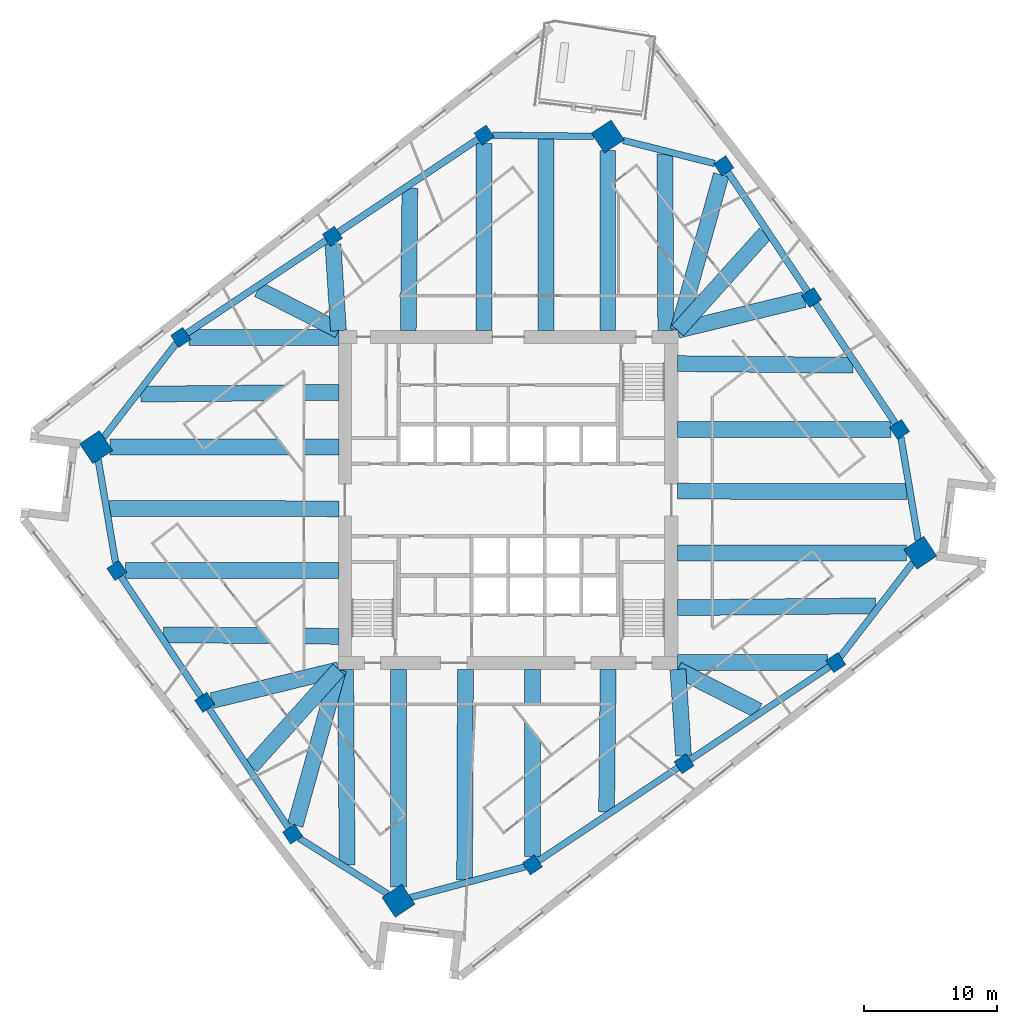
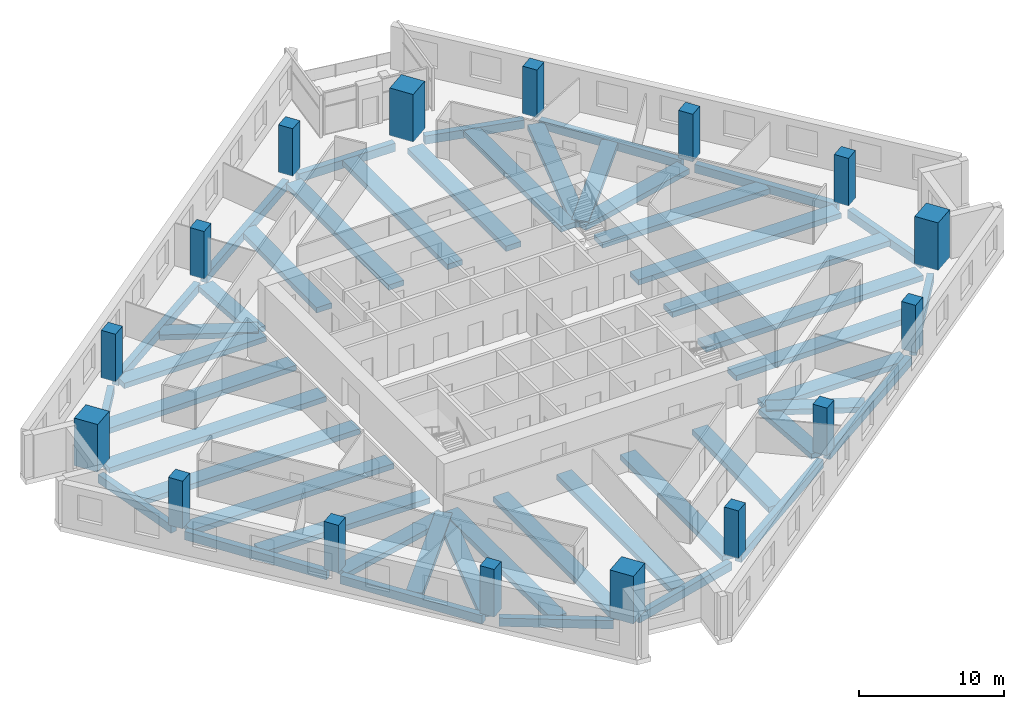
# One storey, part 1 of 11: 48 beams, 16 columns.
"""IFC4 building model written with IfcOpenShell, lengths in metres."""

from ifc_helpers import new_model, si_unit, direction, frame, origin, origin_2d, place, context, subcontext, project, spatial, rectangle, extrude, material, material_profile, profile_set, type_object, element, save


model = new_model("IFC4")

# Units and contexts
model_context = context("Model", 3, precision=1e-05, world=origin(), true_north=direction((0.0, 1.0)))
body_context = subcontext(model_context, "Body", "Model", "MODEL_VIEW")
ifc_project = project(units=[si_unit("LENGTHUNIT", "METRE"), si_unit("AREAUNIT", "SQUARE_METRE"), si_unit("VOLUMEUNIT", "CUBIC_METRE"), si_unit("PLANEANGLEUNIT", "RADIAN"), si_unit("MASSUNIT", "GRAM", prefix="KILO")], contexts=[model_context])

# Site, building, storey
site_placement = place(None, origin())
site = spatial("IfcSite", under=ifc_project, at=site_placement, CompositionType="ELEMENT")
building_placement = place(site_placement, origin())
building = spatial("IfcBuilding", under=site, at=building_placement, Name="Dilmun Exchange Tower", CompositionType="ELEMENT")
storey_placement = place(building_placement, frame((0.0, 0.0, 175.699951171875)))
storey = spatial("IfcBuildingStorey", under=building, at=storey_placement, Name="L41", CompositionType="ELEMENT", Elevation=175.699951171875)

# Columns
ifc_material_1 = material(Name="Concrete C60/75", Category="concrete")
ifc_material_profile_1 = material_profile(ifc_material_1, rectangle(XDim=1.800048828125, YDim=1.800048828125, at=origin_2d()), Name="1800 x 1800")
ifc_profile_set_1 = profile_set([ifc_material_profile_1], Name="Concrete C60/75")
column_type_1 = type_object("IfcColumnType", Name="RC mega column 1800 x 1800 C60/75", PredefinedType="COLUMN", material=ifc_profile_set_1)
for number, where, z_axis, x_axis, name in (
    (1, (7.506103515625, 27.409912109375, 0.0), (0.0, 0.0, 1.0), (0.832028680356, 0.55473261583, 0.0), "Mega column M1"),
    (2, (-31.0791015625, 3.98193359375, 0.0), (0.0, 0.0, 1.0), (0.832028680356, 0.55473261583, 0.0), "Mega column M2"),
    (3, (-8.27587890625, -30.220947265625, 0.0), (0.0, 0.0, 1.0), (0.832028680356, 0.55473261583, 0.0), "Mega column M3"),
    (4, (31.0791015625, -3.98193359375, 0.0), (0.0, 0.0, 1.0), (0.832028680356, 0.55473261583, 0.0), "Mega column M4"),
):
    element("IfcColumn", number, at=place(storey_placement, frame(where, z_axis=z_axis, x_axis=x_axis)), inside=storey, type_object=column_type_1, Name=name, PredefinedType="COLUMN", context=body_context, shape_type="SweptSolid", body=[
        extrude(rectangle(XDim=1.800048828125, YDim=1.800048828125, at=origin_2d()), origin(), (0.0, 0.0, 1.0), 4.0),
    ])
ifc_material_profile_2 = material_profile(ifc_material_1, rectangle(XDim=1.10009765625, YDim=1.10009765625, at=origin_2d()), Name="1100 x 1100")
ifc_profile_set_2 = profile_set([ifc_material_profile_2], Name="Concrete C60/75")
column_type_2 = type_object("IfcColumnType", Name="RC ring column 1100 x 1100 C60/75", PredefinedType="COLUMN", material=ifc_profile_set_2)
for number, where, z_axis, x_axis, name in (
    (5, (-1.818115234375, 27.512939453125, 0.0), (0.0, 0.0, 1.0), (0.832028680356, 0.55473261583, 0.0), "Ring column R01"),
    (6, (-13.258056640625, 19.885009765625, 0.0), (0.0, 0.0, 1.0), (0.832028680356, 0.55473261583, 0.0), "Ring column R02"),
    (7, (-24.698974609375, 12.258056640625, 0.0), (0.0, 0.0, 1.0), (0.832028680356, 0.55473261583, 0.0), "Ring column R03"),
    (8, (-29.510009765625, -5.31201171875, 0.0), (0.0, 0.0, 1.0), (0.832028680356, 0.55473261583, 0.0), "Ring column R04"),
    (9, (-22.881103515625, -15.2548828125, 0.0), (0.0, 0.0, 1.0), (0.832028680356, 0.55473261583, 0.0), "Ring column R05"),
    (10, (-16.251953125, -25.197998046875, 0.0), (0.0, 0.0, 1.0), (0.832028680356, 0.55473261583, 0.0), "Ring column R06"),
    (11, (1.818115234375, -27.512939453125, 0.0), (0.0, 0.0, 1.0), (0.832028680356, 0.55473261583, 0.0), "Ring column R07"),
    (12, (13.258056640625, -19.885009765625, 0.0), (0.0, 0.0, 1.0), (0.832028680356, 0.55473261583, 0.0), "Ring column R08"),
    (13, (24.698974609375, -12.258056640625, 0.0), (0.0, 0.0, 1.0), (0.832028680356, 0.55473261583, 0.0), "Ring column R09"),
    (14, (29.510009765625, 5.31201171875, 0.0), (0.0, 0.0, 1.0), (0.832028680356, 0.55473261583, 0.0), "Ring column R10"),
    (15, (22.881103515625, 15.2548828125, 0.0), (0.0, 0.0, 1.0), (0.832028680356, 0.55473261583, 0.0), "Ring column R11"),
    (16, (16.251953125, 25.197998046875, 0.0), (0.0, 0.0, 1.0), (0.832028680356, 0.55473261583, 0.0), "Ring column R12"),
):
    element("IfcColumn", number, at=place(storey_placement, frame(where, z_axis=z_axis, x_axis=x_axis)), inside=storey, type_object=column_type_2, Name=name, PredefinedType="COLUMN", context=body_context, shape_type="SweptSolid", body=[
        extrude(rectangle(XDim=1.10009765625, YDim=1.10009765625, at=origin_2d()), origin(), (0.0, 0.0, 1.0), 4.0),
    ])

# Beams
ifc_material_2 = material(Name="Concrete C40/50", Category="concrete")
ifc_material_profile_3 = material_profile(ifc_material_2, rectangle(XDim=1.199951171875, YDim=0.449951171875, at=origin_2d()), Name="1200 x 450")
ifc_profile_set_3 = profile_set([ifc_material_profile_3], Name="Concrete C40/50")
beam_type_1 = type_object("IfcBeamType", Name="RC band beam 1200 x 450 C40/50", PredefinedType="BEAM", material=ifc_profile_set_3)
beam_1_placement = place(storey_placement, frame((7.506103515625, 26.355224609375, -0.724853515625), z_axis=(0.0, -1.0, 0.0), x_axis=(1.0, 0.0, 0.0)))
element("IfcBeam", 17, at=beam_1_placement, inside=storey, type_object=beam_type_1, Name="Band beam 1", PredefinedType="BEAM", context=body_context, shape_type="SweptSolid", body=[
    extrude(rectangle(XDim=1.199951171875, YDim=0.449951171875, at=origin_2d()), origin(), (0.0, 0.0, 1.0), 13.582275390625),
])
beam_2_placement = place(storey_placement, frame((-1.818115234375, 26.87890625, -0.724853515625), z_axis=(0.0, -1.0, 0.0), x_axis=(1.0, 0.0, 0.0)))
element("IfcBeam", 18, at=beam_2_placement, inside=storey, type_object=beam_type_1, Name="Band beam 2", PredefinedType="BEAM", context=body_context, shape_type="SweptSolid", body=[
    extrude(rectangle(XDim=1.199951171875, YDim=0.449951171875, at=origin_2d()), origin(), (0.0, 0.0, 1.0), 14.10595703125),
])
beam_3_placement = place(storey_placement, frame((-13.21875, 19.2783203125, -0.724853515625), z_axis=(0.064492965824, -0.997918161654, 0.0), x_axis=(0.997918161654, 0.064492965824, 0.0)))
element("IfcBeam", 19, at=beam_3_placement, inside=storey, type_object=beam_type_1, Name="Band beam 3", PredefinedType="BEAM", context=body_context, shape_type="SweptSolid", body=[
    extrude(rectangle(XDim=1.199951171875, YDim=0.449951171875, at=origin_2d()), origin(), (0.0, 0.0, 1.0), 6.518798828125),
])
beam_4_placement = place(storey_placement, frame((-24.06494140625, 12.258056640625, -0.724853515625), z_axis=(1.0, 0.0, 0.0), x_axis=(0.0, 1.0, 0.0)))
element("IfcBeam", 20, at=beam_4_placement, inside=storey, type_object=beam_type_1, Name="Band beam 4", PredefinedType="BEAM", context=body_context, shape_type="SweptSolid", body=[
    extrude(rectangle(XDim=1.199951171875, YDim=0.449951171875, at=origin_2d()), origin(), (0.0, 0.0, 1.0), 11.2919921875),
])
beam_5_placement = place(storey_placement, frame((-30.0244140625, 3.98193359375, -0.724853515625), z_axis=(1.0, 0.0, 0.0), x_axis=(0.0, 1.0, 0.0)))
element("IfcBeam", 21, at=beam_5_placement, inside=storey, type_object=beam_type_1, Name="Band beam 5", PredefinedType="BEAM", context=body_context, shape_type="SweptSolid", body=[
    extrude(rectangle(XDim=1.199951171875, YDim=0.449951171875, at=origin_2d()), origin(), (0.0, 0.0, 1.0), 17.25146484375),
])
beam_6_placement = place(storey_placement, frame((-28.8759765625, -5.31201171875, -0.724853515625), z_axis=(1.0, 0.0, 0.0), x_axis=(0.0, 1.0, 0.0)))
element("IfcBeam", 22, at=beam_6_placement, inside=storey, type_object=beam_type_1, Name="Band beam 6", PredefinedType="BEAM", context=body_context, shape_type="SweptSolid", body=[
    extrude(rectangle(XDim=1.199951171875, YDim=0.449951171875, at=origin_2d()), origin(), (0.0, 0.0, 1.0), 16.10302734375),
])
beam_7_placement = place(storey_placement, frame((-22.33837890625, -15.122802734375, -0.724853515625), z_axis=(0.971607999859, 0.236596480554, 0.0), x_axis=(-0.236596480554, 0.971607999859, 0.0)))
element("IfcBeam", 23, at=beam_7_placement, inside=storey, type_object=beam_type_1, Name="Band beam 7", PredefinedType="BEAM", context=body_context, shape_type="SweptSolid", body=[
    extrude(rectangle(XDim=1.199951171875, YDim=0.449951171875, at=origin_2d()), origin(), (0.0, 0.0, 1.0), 9.84423828125),
])
beam_8_placement = place(storey_placement, frame((-16.064453125, -24.524658203125, -0.724853515625), z_axis=(0.268225004284, 0.963356292904, 0.0), x_axis=(-0.963356292904, 0.268225004284, 0.0)))
element("IfcBeam", 24, at=beam_8_placement, inside=storey, type_object=beam_type_1, Name="Band beam 8", PredefinedType="BEAM", context=body_context, shape_type="SweptSolid", body=[
    extrude(rectangle(XDim=1.199951171875, YDim=0.449951171875, at=origin_2d()), origin(), (0.0, 0.0, 1.0), 12.19775390625),
])
beam_9_placement = place(storey_placement, frame((-8.27587890625, -29.166259765625, -0.724853515625), z_axis=(0.0, 1.0, 0.0), x_axis=(-1.0, 0.0, 0.0)))
element("IfcBeam", 25, at=beam_9_placement, inside=storey, type_object=beam_type_1, Name="Band beam 9", PredefinedType="BEAM", context=body_context, shape_type="SweptSolid", body=[
    extrude(rectangle(XDim=1.199951171875, YDim=0.449951171875, at=origin_2d()), origin(), (0.0, 0.0, 1.0), 16.393310546875),
])
beam_10_placement = place(storey_placement, frame((1.818115234375, -26.87890625, -0.724853515625), z_axis=(0.0, 1.0, 0.0), x_axis=(-1.0, 0.0, 0.0)))
element("IfcBeam", 26, at=beam_10_placement, inside=storey, type_object=beam_type_1, Name="Band beam 10", PredefinedType="BEAM", context=body_context, shape_type="SweptSolid", body=[
    extrude(rectangle(XDim=1.199951171875, YDim=0.449951171875, at=origin_2d()), origin(), (0.0, 0.0, 1.0), 14.10595703125),
])
beam_11_placement = place(storey_placement, frame((13.21875, -19.2783203125, -0.724853515625), z_axis=(-0.064492965824, 0.997918161654, 0.0), x_axis=(-0.997918161654, -0.064492965824, 0.0)))
element("IfcBeam", 27, at=beam_11_placement, inside=storey, type_object=beam_type_1, Name="Band beam 11", PredefinedType="BEAM", context=body_context, shape_type="SweptSolid", body=[
    extrude(rectangle(XDim=1.199951171875, YDim=0.449951171875, at=origin_2d()), origin(), (0.0, 0.0, 1.0), 6.518798828125),
])
beam_12_placement = place(storey_placement, frame((24.06494140625, -12.258056640625, -0.724853515625), z_axis=(-1.0, 0.0, 0.0), x_axis=(0.0, -1.0, 0.0)))
element("IfcBeam", 28, at=beam_12_placement, inside=storey, type_object=beam_type_1, Name="Band beam 12", PredefinedType="BEAM", context=body_context, shape_type="SweptSolid", body=[
    extrude(rectangle(XDim=1.199951171875, YDim=0.449951171875, at=origin_2d()), origin(), (0.0, 0.0, 1.0), 11.2919921875),
])
beam_13_placement = place(storey_placement, frame((30.0244140625, -3.98193359375, -0.724853515625), z_axis=(-1.0, 0.0, 0.0), x_axis=(0.0, -1.0, 0.0)))
element("IfcBeam", 29, at=beam_13_placement, inside=storey, type_object=beam_type_1, Name="Band beam 13", PredefinedType="BEAM", context=body_context, shape_type="SweptSolid", body=[
    extrude(rectangle(XDim=1.199951171875, YDim=0.449951171875, at=origin_2d()), origin(), (0.0, 0.0, 1.0), 17.25146484375),
])
beam_14_placement = place(storey_placement, frame((28.8759765625, 5.31201171875, -0.724853515625), z_axis=(-1.0, 0.0, 0.0), x_axis=(0.0, -1.0, 0.0)))
element("IfcBeam", 30, at=beam_14_placement, inside=storey, type_object=beam_type_1, Name="Band beam 14", PredefinedType="BEAM", context=body_context, shape_type="SweptSolid", body=[
    extrude(rectangle(XDim=1.199951171875, YDim=0.449951171875, at=origin_2d()), origin(), (0.0, 0.0, 1.0), 16.10302734375),
])
beam_15_placement = place(storey_placement, frame((22.33837890625, 15.122802734375, -0.724853515625), z_axis=(-0.971607999859, -0.236596480554, 0.0), x_axis=(0.236596480554, -0.971607999859, 0.0)))
element("IfcBeam", 31, at=beam_15_placement, inside=storey, type_object=beam_type_1, Name="Band beam 15", PredefinedType="BEAM", context=body_context, shape_type="SweptSolid", body=[
    extrude(rectangle(XDim=1.199951171875, YDim=0.449951171875, at=origin_2d()), origin(), (0.0, 0.0, 1.0), 9.84423828125),
])
beam_16_placement = place(storey_placement, frame((16.064453125, 24.524658203125, -0.724853515625), z_axis=(-0.268225004284, -0.963356292904, 0.0), x_axis=(0.963356292904, -0.268225004284, 0.0)))
element("IfcBeam", 32, at=beam_16_placement, inside=storey, type_object=beam_type_1, Name="Band beam 16", PredefinedType="BEAM", context=body_context, shape_type="SweptSolid", body=[
    extrude(rectangle(XDim=1.199951171875, YDim=0.449951171875, at=origin_2d()), origin(), (0.0, 0.0, 1.0), 12.19775390625),
])
beam_17_placement = place(storey_placement, frame((2.841552734375, 27.238525390625, -0.625), z_axis=(0.00016877352, -0.999999985758, 0.0), x_axis=(0.999999985758, 0.00016877352, 0.0)))
element("IfcBeam", 33, at=beam_17_placement, inside=storey, type_object=beam_type_1, Name="Band beam 17", PredefinedType="BEAM", context=body_context, shape_type="SweptSolid", body=[
    extrude(rectangle(XDim=1.199951171875, YDim=0.449951171875, at=origin_2d()), origin(), (0.0, 0.0, 1.0), 14.465576171875),
])
beam_18_placement = place(storey_placement, frame((-7.414306640625, 23.513427734375, -0.625), z_axis=(-0.011523795482, -0.999933598864, 0.0), x_axis=(0.999933598864, -0.011523795482, 0.0)))
element("IfcBeam", 34, at=beam_18_placement, inside=storey, type_object=beam_type_1, Name="Band beam 18", PredefinedType="BEAM", context=body_context, shape_type="SweptSolid", body=[
    extrude(rectangle(XDim=1.199951171875, YDim=0.449951171875, at=origin_2d()), origin(), (0.0, 0.0, 1.0), 10.7412109375),
])
beam_19_placement = place(storey_placement, frame((-18.854736328125, 15.885986328125, -0.625), z_axis=(0.890922045004, -0.454156261354, 0.0), x_axis=(0.454156261354, 0.890922045004, 0.0)))
element("IfcBeam", 35, at=beam_19_placement, inside=storey, type_object=beam_type_1, Name="Band beam 19", PredefinedType="BEAM", context=body_context, shape_type="SweptSolid", body=[
    extrude(rectangle(XDim=1.199951171875, YDim=0.449951171875, at=origin_2d()), origin(), (0.0, 0.0, 1.0), 6.82275390625),
])
beam_20_placement = place(storey_placement, frame((-27.71240234375, 7.98388671875, -0.625), z_axis=(0.99995842598, 0.009118459957, 0.0), x_axis=(-0.009118459957, 0.99995842598, 0.0)))
element("IfcBeam", 36, at=beam_20_placement, inside=storey, type_object=beam_type_1, Name="Band beam 20", PredefinedType="BEAM", context=body_context, shape_type="SweptSolid", body=[
    extrude(rectangle(XDim=1.199951171875, YDim=0.449951171875, at=origin_2d()), origin(), (0.0, 0.0, 1.0), 14.940185546875),
])
beam_21_placement = place(storey_placement, frame((-30.07470703125, -0.6279296875, -0.625), z_axis=(0.999997699854, -0.002144827713, 0.0), x_axis=(0.002144827713, 0.999997699854, 0.0)))
element("IfcBeam", 37, at=beam_21_placement, inside=storey, type_object=beam_type_1, Name="Band beam 21", PredefinedType="BEAM", context=body_context, shape_type="SweptSolid", body=[
    extrude(rectangle(XDim=1.199951171875, YDim=0.449951171875, at=origin_2d()), origin(), (0.0, 0.0, 1.0), 17.3017578125),
])
beam_22_placement = place(storey_placement, frame((-26.010009765625, -10.159912109375, -0.625), z_axis=(0.999956454863, -0.009332115424, 0.0), x_axis=(0.009332115424, 0.999956454863, 0.0)))
element("IfcBeam", 38, at=beam_22_placement, inside=storey, type_object=beam_type_1, Name="Band beam 22", PredefinedType="BEAM", context=body_context, shape_type="SweptSolid", body=[
    extrude(rectangle(XDim=1.199951171875, YDim=0.449951171875, at=origin_2d()), origin(), (0.0, 0.0, 1.0), 13.237548828125),
])
beam_23_placement = place(storey_placement, frame((-19.381103515625, -20.102783203125, -0.625), z_axis=(0.669462647611, 0.742845719819, 0.0), x_axis=(-0.742845719819, 0.669462647611, 0.0)))
element("IfcBeam", 39, at=beam_23_placement, inside=storey, type_object=beam_type_1, Name="Band beam 23", PredefinedType="BEAM", context=body_context, shape_type="SweptSolid", body=[
    extrude(rectangle(XDim=1.199951171875, YDim=0.449951171875, at=origin_2d()), origin(), (0.0, 0.0, 1.0), 9.857666015625),
])
beam_24_placement = place(storey_placement, frame((-12.145263671875, -27.520751953125, -0.625), z_axis=(-0.008045164826, 0.999967637138, 0.0), x_axis=(-0.999967637138, -0.008045164826, 0.0)))
element("IfcBeam", 40, at=beam_24_placement, inside=storey, type_object=beam_type_1, Name="Band beam 24", PredefinedType="BEAM", context=body_context, shape_type="SweptSolid", body=[
    extrude(rectangle(XDim=1.199951171875, YDim=0.449951171875, at=origin_2d()), origin(), (0.0, 0.0, 1.0), 14.748291015625),
])
beam_25_placement = place(storey_placement, frame((-3.286865234375, -28.651611328125, -0.625), z_axis=(0.003643943273, 0.999993360817, 0.0), x_axis=(-0.999993360817, 0.003643943273, 0.0)))
element("IfcBeam", 41, at=beam_25_placement, inside=storey, type_object=beam_type_1, Name="Band beam 25", PredefinedType="BEAM", context=body_context, shape_type="SweptSolid", body=[
    extrude(rectangle(XDim=1.199951171875, YDim=0.449951171875, at=origin_2d()), origin(), (0.0, 0.0, 1.0), 15.878662109375),
])
beam_26_placement = place(storey_placement, frame((7.414306640625, -23.513427734375, -0.625), z_axis=(0.011523795482, 0.999933598864, 0.0), x_axis=(-0.999933598864, 0.011523795482, 0.0)))
element("IfcBeam", 42, at=beam_26_placement, inside=storey, type_object=beam_type_1, Name="Band beam 26", PredefinedType="BEAM", context=body_context, shape_type="SweptSolid", body=[
    extrude(rectangle(XDim=1.199951171875, YDim=0.449951171875, at=origin_2d()), origin(), (0.0, 0.0, 1.0), 10.7412109375),
])
beam_27_placement = place(storey_placement, frame((18.854736328125, -15.885986328125, -0.625), z_axis=(-0.890922045004, 0.454156261354, 0.0), x_axis=(-0.454156261354, -0.890922045004, 0.0)))
element("IfcBeam", 43, at=beam_27_placement, inside=storey, type_object=beam_type_1, Name="Band beam 27", PredefinedType="BEAM", context=body_context, shape_type="SweptSolid", body=[
    extrude(rectangle(XDim=1.199951171875, YDim=0.449951171875, at=origin_2d()), origin(), (0.0, 0.0, 1.0), 6.82275390625),
])
beam_28_placement = place(storey_placement, frame((27.71240234375, -7.98388671875, -0.625), z_axis=(-0.99995842598, -0.009118459957, 0.0), x_axis=(0.009118459957, -0.99995842598, 0.0)))
element("IfcBeam", 44, at=beam_28_placement, inside=storey, type_object=beam_type_1, Name="Band beam 28", PredefinedType="BEAM", context=body_context, shape_type="SweptSolid", body=[
    extrude(rectangle(XDim=1.199951171875, YDim=0.449951171875, at=origin_2d()), origin(), (0.0, 0.0, 1.0), 14.940185546875),
])
beam_29_placement = place(storey_placement, frame((30.07470703125, 0.6279296875, -0.625), z_axis=(-0.999997699854, 0.002144827713, 0.0), x_axis=(-0.002144827713, -0.999997699854, 0.0)))
element("IfcBeam", 45, at=beam_29_placement, inside=storey, type_object=beam_type_1, Name="Band beam 29", PredefinedType="BEAM", context=body_context, shape_type="SweptSolid", body=[
    extrude(rectangle(XDim=1.199951171875, YDim=0.449951171875, at=origin_2d()), origin(), (0.0, 0.0, 1.0), 17.3017578125),
])
beam_30_placement = place(storey_placement, frame((26.010009765625, 10.159912109375, -0.625), z_axis=(-0.999956454863, 0.009332115424, 0.0), x_axis=(-0.009332115424, -0.999956454863, 0.0)))
element("IfcBeam", 46, at=beam_30_placement, inside=storey, type_object=beam_type_1, Name="Band beam 30", PredefinedType="BEAM", context=body_context, shape_type="SweptSolid", body=[
    extrude(rectangle(XDim=1.199951171875, YDim=0.449951171875, at=origin_2d()), origin(), (0.0, 0.0, 1.0), 13.237548828125),
])
beam_31_placement = place(storey_placement, frame((19.381103515625, 20.102783203125, -0.625), z_axis=(-0.669462647611, -0.742845719819, 0.0), x_axis=(0.742845719819, -0.669462647611, 0.0)))
element("IfcBeam", 47, at=beam_31_placement, inside=storey, type_object=beam_type_1, Name="Band beam 31", PredefinedType="BEAM", context=body_context, shape_type="SweptSolid", body=[
    extrude(rectangle(XDim=1.199951171875, YDim=0.449951171875, at=origin_2d()), origin(), (0.0, 0.0, 1.0), 9.857666015625),
])
beam_32_placement = place(storey_placement, frame((11.82421875, 26.087890625, -0.625), z_axis=(0.004107193345, -0.999991565446, 0.0), x_axis=(0.999991565446, 0.004107193345, 0.0)))
element("IfcBeam", 48, at=beam_32_placement, inside=storey, type_object=beam_type_1, Name="Band beam 32", PredefinedType="BEAM", context=body_context, shape_type="SweptSolid", body=[
    extrude(rectangle(XDim=1.199951171875, YDim=0.449951171875, at=origin_2d()), origin(), (0.0, 0.0, 1.0), 13.31494140625),
])
ifc_material_profile_4 = material_profile(ifc_material_2, rectangle(XDim=0.5, YDim=0.699951171875, at=origin_2d()), Name="500 x 700")
ifc_profile_set_4 = profile_set([ifc_material_profile_4], Name="Concrete C40/50")
beam_type_2 = type_object("IfcBeamType", Name="RC ring beam 500 x 700 C40/50", PredefinedType="SPANDREL", material=ifc_profile_set_4)
beam_33_placement = place(storey_placement, frame((6.443359375, 27.421630859375, -0.75), z_axis=(-0.999938955437, 0.011049226175, 0.0), x_axis=(-0.011049226175, -0.999938955437, 0.0)))
element("IfcBeam", 49, at=beam_33_placement, inside=storey, type_object=beam_type_2, Name="Ring beam 1", PredefinedType="SPANDREL", context=body_context, shape_type="SweptSolid", body=[
    extrude(rectangle(XDim=0.5, YDim=0.699951171875, at=origin_2d()), origin(), (0.0, 0.0, 1.0), 7.623046875),
])
beam_34_placement = place(storey_placement, frame((-2.253173828125, 27.222900390625, -0.75), z_axis=(-0.832002986666, -0.554771151177, 0.0), x_axis=(0.554771151177, -0.832002986666, 0.0)))
element("IfcBeam", 50, at=beam_34_placement, inside=storey, type_object=beam_type_2, Name="Ring beam 2", PredefinedType="SPANDREL", context=body_context, shape_type="SweptSolid", body=[
    extrude(rectangle(XDim=0.5, YDim=0.699951171875, at=origin_2d()), origin(), (0.0, 0.0, 1.0), 12.7041015625),
])
beam_35_placement = place(storey_placement, frame((-13.693115234375, 19.594970703125, -0.75), z_axis=(-0.832062120058, -0.554682457235, 0.0), x_axis=(0.554682457235, -0.832062120058, 0.0)))
element("IfcBeam", 51, at=beam_35_placement, inside=storey, type_object=beam_type_2, Name="Ring beam 3", PredefinedType="SPANDREL", context=body_context, shape_type="SweptSolid", body=[
    extrude(rectangle(XDim=0.5, YDim=0.699951171875, at=origin_2d()), origin(), (0.0, 0.0, 1.0), 12.704345703125),
])
beam_36_placement = place(storey_placement, frame((-25.037109375, 11.819580078125, -0.75), z_axis=(-0.610521727247, -0.791999507929, 0.0), x_axis=(0.791999507929, -0.610521727247, 0.0)))
element("IfcBeam", 52, at=beam_36_placement, inside=storey, type_object=beam_type_2, Name="Ring beam 4", PredefinedType="SPANDREL", context=body_context, shape_type="SweptSolid", body=[
    extrude(rectangle(XDim=0.5, YDim=0.699951171875, at=origin_2d()), origin(), (0.0, 0.0, 1.0), 8.97314453125),
])
beam_37_placement = place(storey_placement, frame((-30.91943359375, 3.036376953125, -0.75), z_axis=(0.166485785433, -0.986043854628, 0.0), x_axis=(0.986043854628, 0.166485785433, 0.0)))
element("IfcBeam", 53, at=beam_37_placement, inside=storey, type_object=beam_type_2, Name="Ring beam 5", PredefinedType="SPANDREL", context=body_context, shape_type="SweptSolid", body=[
    extrude(rectangle(XDim=0.5, YDim=0.699951171875, at=origin_2d()), origin(), (0.0, 0.0, 1.0), 7.890869140625),
])
for number, where, z_axis, x_axis, name in (
    (54, (-29.219970703125, -5.747314453125, -0.75), (0.554731197186, -0.832029626196, 0.0), (0.832029626196, 0.554731197186, 0.0), "Ring beam 6"),
    (55, (-22.5908203125, -15.690185546875, -0.75), (0.554731197186, -0.832029626196, 0.0), (0.832029626196, 0.554731197186, 0.0), "Ring beam 7"),
):
    element("IfcBeam", number, at=place(storey_placement, frame(where, z_axis=z_axis, x_axis=x_axis)), inside=storey, type_object=beam_type_2, Name=name, PredefinedType="SPANDREL", context=body_context, shape_type="SweptSolid", body=[
        extrude(rectangle(XDim=0.5, YDim=0.699951171875, at=origin_2d()), origin(), (0.0, 0.0, 1.0), 10.904052734375),
    ])
beam_38_placement = place(storey_placement, frame((-15.764892578125, -25.504638671875, -0.75), z_axis=(0.846177038183, -0.532901885953, 0.0), x_axis=(0.532901885953, 0.846177038183, 0.0)))
element("IfcBeam", 56, at=beam_38_placement, inside=storey, type_object=beam_type_2, Name="Ring beam 8", PredefinedType="SPANDREL", context=body_context, shape_type="SweptSolid", body=[
    extrude(rectangle(XDim=0.5, YDim=0.699951171875, at=origin_2d()), origin(), (0.0, 0.0, 1.0), 7.891357421875),
])
beam_39_placement = place(storey_placement, frame((-7.384521484375, -29.981689453125, -0.75), z_axis=(0.965850974034, 0.259098236113, 0.0), x_axis=(-0.259098236113, 0.965850974034, 0.0)))
element("IfcBeam", 57, at=beam_39_placement, inside=storey, type_object=beam_type_2, Name="Ring beam 9", PredefinedType="SPANDREL", context=body_context, shape_type="SweptSolid", body=[
    extrude(rectangle(XDim=0.5, YDim=0.699951171875, at=origin_2d()), origin(), (0.0, 0.0, 1.0), 8.97412109375),
])
beam_40_placement = place(storey_placement, frame((2.253173828125, -27.222900390625, -0.75), z_axis=(0.832002986666, 0.554771151177, 0.0), x_axis=(-0.554771151177, 0.832002986666, 0.0)))
element("IfcBeam", 58, at=beam_40_placement, inside=storey, type_object=beam_type_2, Name="Ring beam 10", PredefinedType="SPANDREL", context=body_context, shape_type="SweptSolid", body=[
    extrude(rectangle(XDim=0.5, YDim=0.699951171875, at=origin_2d()), origin(), (0.0, 0.0, 1.0), 12.7041015625),
])
beam_41_placement = place(storey_placement, frame((13.693115234375, -19.594970703125, -0.75), z_axis=(0.832062120058, 0.554682457235, 0.0), x_axis=(-0.554682457235, 0.832062120058, 0.0)))
element("IfcBeam", 59, at=beam_41_placement, inside=storey, type_object=beam_type_2, Name="Ring beam 11", PredefinedType="SPANDREL", context=body_context, shape_type="SweptSolid", body=[
    extrude(rectangle(XDim=0.5, YDim=0.699951171875, at=origin_2d()), origin(), (0.0, 0.0, 1.0), 12.704345703125),
])
beam_42_placement = place(storey_placement, frame((25.037109375, -11.819580078125, -0.75), z_axis=(0.610521727247, 0.791999507929, 0.0), x_axis=(-0.791999507929, 0.610521727247, 0.0)))
element("IfcBeam", 60, at=beam_42_placement, inside=storey, type_object=beam_type_2, Name="Ring beam 12", PredefinedType="SPANDREL", context=body_context, shape_type="SweptSolid", body=[
    extrude(rectangle(XDim=0.5, YDim=0.699951171875, at=origin_2d()), origin(), (0.0, 0.0, 1.0), 8.97314453125),
])
beam_43_placement = place(storey_placement, frame((30.91943359375, -3.036376953125, -0.75), z_axis=(-0.166485785433, 0.986043854628, 0.0), x_axis=(-0.986043854628, -0.166485785433, 0.0)))
element("IfcBeam", 61, at=beam_43_placement, inside=storey, type_object=beam_type_2, Name="Ring beam 13", PredefinedType="SPANDREL", context=body_context, shape_type="SweptSolid", body=[
    extrude(rectangle(XDim=0.5, YDim=0.699951171875, at=origin_2d()), origin(), (0.0, 0.0, 1.0), 7.890869140625),
])
for number, where, z_axis, x_axis, name in (
    (62, (29.219970703125, 5.747314453125, -0.75), (-0.554731197186, 0.832029626196, 0.0), (-0.832029626196, -0.554731197186, 0.0), "Ring beam 14"),
    (63, (22.5908203125, 15.690185546875, -0.75), (-0.554731197186, 0.832029626196, 0.0), (-0.832029626196, -0.554731197186, 0.0), "Ring beam 15"),
):
    element("IfcBeam", number, at=place(storey_placement, frame(where, z_axis=z_axis, x_axis=x_axis)), inside=storey, type_object=beam_type_2, Name=name, PredefinedType="SPANDREL", context=body_context, shape_type="SweptSolid", body=[
        extrude(rectangle(XDim=0.5, YDim=0.699951171875, at=origin_2d()), origin(), (0.0, 0.0, 1.0), 10.904052734375),
    ])
beam_44_placement = place(storey_placement, frame((15.559326171875, 25.373291015625, -0.75), z_axis=(-0.96947736899, 0.245180812903, 0.0), x_axis=(-0.245180812903, -0.96947736899, 0.0)))
element("IfcBeam", 64, at=beam_44_placement, inside=storey, type_object=beam_type_2, Name="Ring beam 16", PredefinedType="SPANDREL", context=body_context, shape_type="SweptSolid", body=[
    extrude(rectangle(XDim=0.5, YDim=0.699951171875, at=origin_2d()), origin(), (0.0, 0.0, 1.0), 7.12060546875),
])

save(model, "model.ifc")
